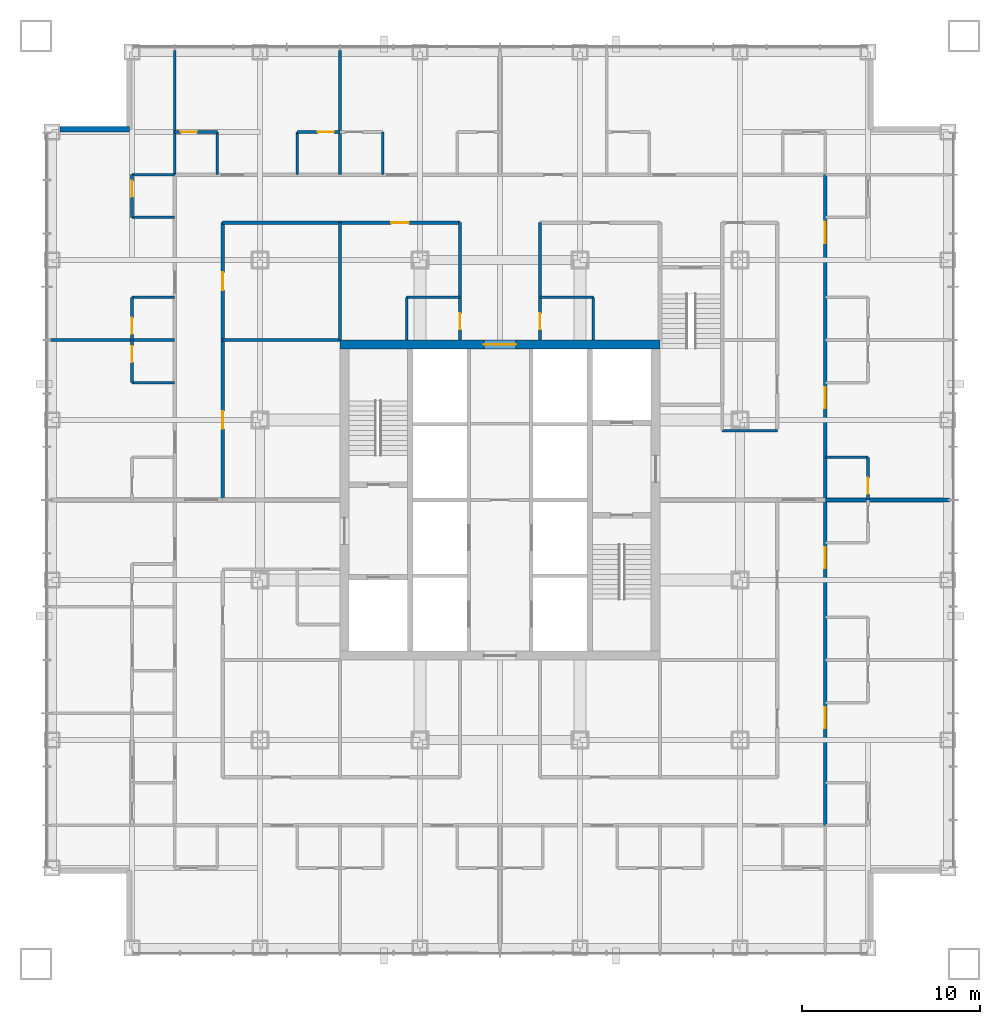
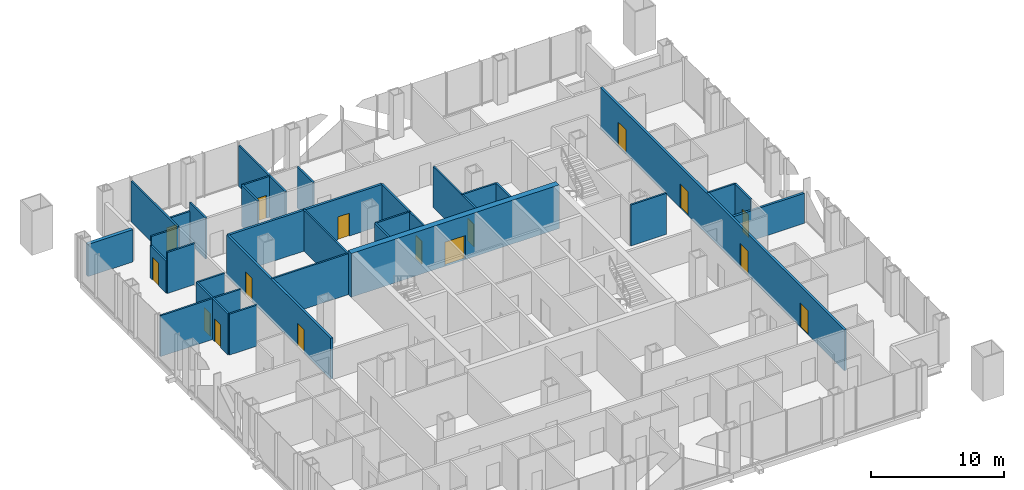
# One storey, part 10 of 13: 32 walls, 16 doors, 16 openings.
"""IFC4 building model written with IfcOpenShell, lengths in metres."""

from ifc_helpers import new_model, si_unit, direction, frame, frame_2d, origin, place, context, subcontext, project, spatial, rectangle, extrude, material, layer, layer_set, type_object, element, fill, save


model = new_model("IFC4")

# Units and contexts
model_context = context("Model", 3, precision=1e-05, world=origin(), true_north=direction((0.0, 1.0)))
body_context = subcontext(model_context, "Body", "Model", "MODEL_VIEW")
ifc_project = project(units=[si_unit("LENGTHUNIT", "METRE"), si_unit("AREAUNIT", "SQUARE_METRE"), si_unit("VOLUMEUNIT", "CUBIC_METRE"), si_unit("PLANEANGLEUNIT", "RADIAN"), si_unit("MASSUNIT", "GRAM", prefix="KILO")], contexts=[model_context])

# Site, building, storey
site_placement = place(None, origin())
site = spatial("IfcSite", under=ifc_project, at=site_placement, CompositionType="ELEMENT")
building_placement = place(site_placement, origin())
building = spatial("IfcBuilding", under=site, at=building_placement, Name="Malebo Sky Hospital", CompositionType="ELEMENT")
storey_placement = place(building_placement, frame((0.0, 0.0, 43.0)))
storey = spatial("IfcBuildingStorey", under=building, at=storey_placement, Name="L09", CompositionType="ELEMENT", Elevation=43.0)

# Wall, opening, door
ifc_material_1 = material(Name="Concrete C80/95", Category="concrete")
ifc_layer_1 = layer(ifc_material_1, 0.5)
ifc_layer_set_1 = layer_set([ifc_layer_1], Name="CORE WALL 500")
wall_type_1 = type_object("IfcWallType", Name="CORE WALL 500", PredefinedType="SHEAR", material=ifc_layer_set_1)
wall_1_placement = place(storey_placement, frame((51.0, 70.75, 0.0), z_axis=(0.0, 0.0, 1.0), x_axis=(1.0, 0.0, 0.0)))
wall_1 = element("IfcWall", 1, at=wall_1_placement, inside=storey, type_object=wall_type_1, Name="Core wall N L09", PredefinedType="SHEAR", context=body_context, shape_type="SweptSolid", body=[
    extrude(rectangle(XDim=18.0, YDim=0.5, at=frame_2d((9.0, 0.0))), origin(), (0.0, 0.0, 1.0), 4.0),
])
opening_1_placement = place(wall_1_placement, frame((8.10009765625, 0.0, 0.0)))
opening_1 = element("IfcOpeningElement", 2, at=opening_1_placement, cuts=wall_1, Name="Opening D06", PredefinedType="OPENING", context=body_context, shape_type="SweptSolid", body=[
    extrude(rectangle(XDim=1.800048828125, YDim=2.199951171875, at=frame_2d((0.89990234375, 1.10009765625))), frame((0.0, 0.260009765625, 0.0), z_axis=(0.0, -1.0, 0.0), x_axis=(1.0, 0.0, 0.0)), (0.0, 0.0, 1.0), 0.52001953125),
])
ifc_material_2 = material(Name="Hardwood-faced door leaf in steel frame", Category="steel")
door_type_1 = type_object("IfcDoorType", Name="LOBBY DOOR PAIR 1800", OperationType="DOUBLE_DOOR_SINGLE_SWING", PredefinedType="DOOR", material=ifc_material_2)
door_1_placement = place(opening_1_placement, origin())
door_1 = element("IfcDoor", 3, at=door_1_placement, inside=storey, type_object=door_type_1, Name="ward pantry door north", OperationType="DOUBLE_DOOR_SINGLE_SWING", OverallHeight=2.199951171875, OverallWidth=1.800048828125, PredefinedType="DOOR", context=body_context, shape_type="SweptSolid", body=[
    extrude(rectangle(XDim=1.800048828125, YDim=2.199951171875, at=frame_2d((0.89990234375, 1.10009765625))), frame((0.0, 0.02490234375, 0.0), z_axis=(0.0, -1.0, 0.0), x_axis=(1.0, 0.0, 0.0)), (0.0, 0.0, 1.0), 0.050048828125),
])
fill(opening_1, door_1)

ifc_material_3 = material(Name="Gypsum board on steel studs", Category="steel")
ifc_layer_2 = layer(ifc_material_3, 0.199951171875)
ifc_layer_set_2 = layer_set([ifc_layer_2], Name="CORRIDOR WALL 200")
wall_type_2 = type_object("IfcWallType", Name="CORRIDOR WALL 200", PredefinedType="PARTITIONING", material=ifc_layer_set_2)
wall_2_placement = place(storey_placement, frame((44.39990234375, 77.60009765625, 0.0), z_axis=(0.0, 0.0, 1.0), x_axis=(1.0, 0.0, 0.0)))
wall_2 = element("IfcWall", 4, at=wall_2_placement, inside=storey, type_object=wall_type_2, Name="Corridor Wall 200 NCI1", PredefinedType="PARTITIONING", context=body_context, shape_type="SweptSolid", body=[
    extrude(rectangle(XDim=13.35009765625, YDim=0.199951171875, at=frame_2d((6.675048828125, 0.0))), origin(), (0.0, 0.0, 1.0), 3.75),
])
opening_2_placement = place(wall_2_placement, frame((9.47509765625, 0.0, 0.0)))
opening_2 = element("IfcOpeningElement", 5, at=opening_2_placement, cuts=wall_2, Name="Opening D03", PredefinedType="OPENING", context=body_context, shape_type="SweptSolid", body=[
    extrude(rectangle(XDim=1.0, YDim=2.10009765625, at=frame_2d((0.5, 1.050048828125))), frame((0.0, 0.10986328125, 0.0), z_axis=(0.0, -1.0, 0.0), x_axis=(1.0, 0.0, 0.0)), (0.0, 0.0, 1.0), 0.219970703125),
])
door_type_2 = type_object("IfcDoorType", Name="ROOM DOOR 1000", OperationType="SINGLE_SWING_LEFT", PredefinedType="DOOR", material=ifc_material_2)
door_2_placement = place(opening_2_placement, origin())
door_2 = element("IfcDoor", 6, at=door_2_placement, inside=storey, type_object=door_type_2, Name="Ward office door", OperationType="SINGLE_SWING_LEFT", OverallHeight=2.10009765625, OverallWidth=1.0, PredefinedType="DOOR", context=body_context, shape_type="SweptSolid", body=[
    extrude(rectangle(XDim=1.0, YDim=2.10009765625, at=frame_2d((0.5, 1.050048828125))), frame((0.0, 0.02490234375, 0.0), z_axis=(0.0, -1.0, 0.0), x_axis=(1.0, 0.0, 0.0)), (0.0, 0.0, 1.0), 0.050048828125),
])
fill(opening_2, door_2)

# Wall, openings, doors
wall_3_placement = place(storey_placement, frame((44.39990234375, 62.0, 0.0), z_axis=(0.0, 0.0, 1.0), x_axis=(0.0, 1.0, 0.0)))
wall_3 = element("IfcWall", 7, at=wall_3_placement, inside=storey, type_object=wall_type_2, Name="Corridor Wall 200 WCI2", PredefinedType="PARTITIONING", context=body_context, shape_type="SweptSolid", body=[
    extrude(rectangle(XDim=15.60009765625, YDim=0.199951171875, at=frame_2d((7.800048828125, 0.0))), origin(), (0.0, 0.0, 1.0), 3.75),
])
opening_3_placement = place(wall_3_placement, frame((4.0, 0.0, 0.0)))
opening_3 = element("IfcOpeningElement", 8, at=opening_3_placement, cuts=wall_3, Name="Opening D03", PredefinedType="OPENING", context=body_context, shape_type="SweptSolid", body=[
    extrude(rectangle(XDim=1.0, YDim=2.10009765625, at=frame_2d((0.5, 1.050048828125))), frame((0.0, 0.10986328125, 0.0), z_axis=(0.0, -1.0, 0.0), x_axis=(1.0, 0.0, 0.0)), (0.0, 0.0, 1.0), 0.219970703125),
])
opening_4_placement = place(wall_3_placement, frame((11.800048828125, 0.0, 0.0)))
opening_4 = element("IfcOpeningElement", 9, at=opening_4_placement, cuts=wall_3, Name="Opening D03", PredefinedType="OPENING", context=body_context, shape_type="SweptSolid", body=[
    extrude(rectangle(XDim=1.0, YDim=2.10009765625, at=frame_2d((0.5, 1.050048828125))), frame((0.0, 0.10986328125, 0.0), z_axis=(0.0, -1.0, 0.0), x_axis=(1.0, 0.0, 0.0)), (0.0, 0.0, 1.0), 0.219970703125),
])
door_3_placement = place(opening_3_placement, origin())
door_3 = element("IfcDoor", 10, at=door_3_placement, inside=storey, type_object=door_type_2, Name="Nurse station door", OperationType="SINGLE_SWING_LEFT", OverallHeight=2.10009765625, OverallWidth=1.0, PredefinedType="DOOR", context=body_context, shape_type="SweptSolid", body=[
    extrude(rectangle(XDim=1.0, YDim=2.10009765625, at=frame_2d((0.5, 1.050048828125))), frame((0.0, 0.02490234375, 0.0), z_axis=(0.0, -1.0, 0.0), x_axis=(1.0, 0.0, 0.0)), (0.0, 0.0, 1.0), 0.050048828125),
])
fill(opening_3, door_3)
door_4_placement = place(opening_4_placement, origin())
door_4 = element("IfcDoor", 11, at=door_4_placement, inside=storey, type_object=door_type_2, Name="Staff base door", OperationType="SINGLE_SWING_RIGHT", OverallHeight=2.10009765625, OverallWidth=1.0, PredefinedType="DOOR", context=body_context, shape_type="SweptSolid", body=[
    extrude(rectangle(XDim=1.0, YDim=2.10009765625, at=frame_2d((0.5, 1.050048828125))), frame((0.0, 0.02490234375, 0.0), z_axis=(0.0, -1.0, 0.0), x_axis=(1.0, 0.0, 0.0)), (0.0, 0.0, 1.0), 0.050048828125),
])
fill(opening_4, door_4)

wall_4_placement = place(storey_placement, frame((78.300048828125, 80.300048828125, 0.0), z_axis=(0.0, 0.0, 1.0), x_axis=(0.0, -1.0, 0.0)))
wall_4 = element("IfcWall", 12, at=wall_4_placement, inside=storey, type_object=wall_type_2, Name="Corridor Wall 200 ECO", PredefinedType="PARTITIONING", context=body_context, shape_type="SweptSolid", body=[
    extrude(rectangle(XDim=36.60009765625, YDim=0.199951171875, at=frame_2d((18.300048828125, 0.0))), origin(), (0.0, 0.0, 1.0), 3.75),
])
opening_5_placement = place(wall_4_placement, frame((2.64990234375, 0.0, 0.0)))
opening_5 = element("IfcOpeningElement", 13, at=opening_5_placement, cuts=wall_4, Name="Opening D01", PredefinedType="OPENING", context=body_context, shape_type="SweptSolid", body=[
    extrude(rectangle(XDim=1.199951171875, YDim=2.199951171875, at=frame_2d((0.60009765625, 1.10009765625))), frame((0.0, 0.10986328125, 0.0), z_axis=(0.0, -1.0, 0.0), x_axis=(1.0, 0.0, 0.0)), (0.0, 0.0, 1.0), 0.219970703125),
])
opening_6_placement = place(wall_4_placement, frame((11.949951171875, 0.0, 0.0)))
opening_6 = element("IfcOpeningElement", 14, at=opening_6_placement, cuts=wall_4, Name="Opening D01", PredefinedType="OPENING", context=body_context, shape_type="SweptSolid", body=[
    extrude(rectangle(XDim=1.199951171875, YDim=2.199951171875, at=frame_2d((0.60009765625, 1.10009765625))), frame((0.0, 0.10986328125, 0.0), z_axis=(0.0, -1.0, 0.0), x_axis=(1.0, 0.0, 0.0)), (0.0, 0.0, 1.0), 0.219970703125),
])
opening_7_placement = place(wall_4_placement, frame((20.949951171875, 0.0, 0.0)))
opening_7 = element("IfcOpeningElement", 15, at=opening_7_placement, cuts=wall_4, Name="Opening D01", PredefinedType="OPENING", context=body_context, shape_type="SweptSolid", body=[
    extrude(rectangle(XDim=1.199951171875, YDim=2.199951171875, at=frame_2d((0.60009765625, 1.10009765625))), frame((0.0, 0.10986328125, 0.0), z_axis=(0.0, -1.0, 0.0), x_axis=(1.0, 0.0, 0.0)), (0.0, 0.0, 1.0), 0.219970703125),
])
opening_8_placement = place(wall_4_placement, frame((29.949951171875, 0.0, 0.0)))
opening_8 = element("IfcOpeningElement", 16, at=opening_8_placement, cuts=wall_4, Name="Opening D01", PredefinedType="OPENING", context=body_context, shape_type="SweptSolid", body=[
    extrude(rectangle(XDim=1.199951171875, YDim=2.199951171875, at=frame_2d((0.60009765625, 1.10009765625))), frame((0.0, 0.10986328125, 0.0), z_axis=(0.0, -1.0, 0.0), x_axis=(1.0, 0.0, 0.0)), (0.0, 0.0, 1.0), 0.219970703125),
])
door_type_3 = type_object("IfcDoorType", Name="BED DOOR 1200", OperationType="SINGLE_SWING_LEFT", PredefinedType="DOOR", material=ifc_material_2)
door_5_placement = place(opening_5_placement, origin())
door_5 = element("IfcDoor", 17, at=door_5_placement, inside=storey, type_object=door_type_3, Name="Four-bed bay door", OperationType="SINGLE_SWING_LEFT", OverallHeight=2.199951171875, OverallWidth=1.199951171875, PredefinedType="DOOR", context=body_context, shape_type="SweptSolid", body=[
    extrude(rectangle(XDim=1.199951171875, YDim=2.199951171875, at=frame_2d((0.60009765625, 1.10009765625))), frame((0.0, 0.02490234375, 0.0), z_axis=(0.0, -1.0, 0.0), x_axis=(1.0, 0.0, 0.0)), (0.0, 0.0, 1.0), 0.050048828125),
])
fill(opening_5, door_5)
door_6_placement = place(opening_6_placement, origin())
door_6 = element("IfcDoor", 18, at=door_6_placement, inside=storey, type_object=door_type_3, Name="Four-bed bay door", OperationType="SINGLE_SWING_LEFT", OverallHeight=2.199951171875, OverallWidth=1.199951171875, PredefinedType="DOOR", context=body_context, shape_type="SweptSolid", body=[
    extrude(rectangle(XDim=1.199951171875, YDim=2.199951171875, at=frame_2d((0.60009765625, 1.10009765625))), frame((0.0, 0.02490234375, 0.0), z_axis=(0.0, -1.0, 0.0), x_axis=(1.0, 0.0, 0.0)), (0.0, 0.0, 1.0), 0.050048828125),
])
fill(opening_6, door_6)
door_7_placement = place(opening_7_placement, origin())
door_7 = element("IfcDoor", 19, at=door_7_placement, inside=storey, type_object=door_type_3, Name="Four-bed bay door", OperationType="SINGLE_SWING_LEFT", OverallHeight=2.199951171875, OverallWidth=1.199951171875, PredefinedType="DOOR", context=body_context, shape_type="SweptSolid", body=[
    extrude(rectangle(XDim=1.199951171875, YDim=2.199951171875, at=frame_2d((0.60009765625, 1.10009765625))), frame((0.0, 0.02490234375, 0.0), z_axis=(0.0, -1.0, 0.0), x_axis=(1.0, 0.0, 0.0)), (0.0, 0.0, 1.0), 0.050048828125),
])
fill(opening_7, door_7)
door_8_placement = place(opening_8_placement, origin())
door_8 = element("IfcDoor", 20, at=door_8_placement, inside=storey, type_object=door_type_3, Name="Four-bed bay door", OperationType="SINGLE_SWING_LEFT", OverallHeight=2.199951171875, OverallWidth=1.199951171875, PredefinedType="DOOR", context=body_context, shape_type="SweptSolid", body=[
    extrude(rectangle(XDim=1.199951171875, YDim=2.199951171875, at=frame_2d((0.60009765625, 1.10009765625))), frame((0.0, 0.02490234375, 0.0), z_axis=(0.0, -1.0, 0.0), x_axis=(1.0, 0.0, 0.0)), (0.0, 0.0, 1.0), 0.050048828125),
])
fill(opening_8, door_8)

# Walls
ifc_material_4 = material(Name="Anodised aluminium rainscreen on steel framing", Category="steel")
ifc_layer_3 = layer(ifc_material_4, 0.300048828125)
ifc_layer_set_3 = layer_set([ifc_layer_3], Name="NOTCH RAINSCREEN WALL 300")
wall_type_3 = type_object("IfcWallType", Name="NOTCH RAINSCREEN WALL 300", PredefinedType="ELEMENTEDWALL", material=ifc_layer_set_3)
wall_5_placement = place(storey_placement, frame((35.25, 82.85009765625, 0.0), z_axis=(0.0, 0.0, 1.0), x_axis=(1.0, 0.0, 0.0)))
element("IfcWall", 21, at=wall_5_placement, inside=storey, type_object=wall_type_3, Name="Notch rainscreen wall W1 L09", PredefinedType="ELEMENTEDWALL", context=body_context, shape_type="SweptSolid", body=[
    extrude(rectangle(XDim=3.89990234375, YDim=0.300048828125, at=frame_2d((1.949951171875, 0.0))), origin(), (0.0, 0.0, 1.0), 2.949951171875),
])
ifc_layer_4 = layer(ifc_material_3, 0.14990234375)
ifc_layer_set_4 = layer_set([ifc_layer_4], Name="PARTITION 150")
wall_type_4 = type_object("IfcWallType", Name="PARTITION 150", PredefinedType="PARTITIONING", material=ifc_layer_set_4)
for number, where, z_axis, x_axis, name in (
    (22, (51.0, 80.300048828125, 0.0), (0.0, 0.0, 1.0), (0.0, 1.0, 0.0), "Partition 150 NP-9.0"),
    (23, (41.699951171875, 80.300048828125, 0.0), (0.0, 0.0, 1.0), (0.0, 1.0, 0.0), "Partition 150 NP0"),
):
    element("IfcWall", number, at=place(storey_placement, frame(where, z_axis=z_axis, x_axis=x_axis)), inside=storey, type_object=wall_type_4, Name=name, PredefinedType="PARTITIONING", context=body_context, shape_type="SweptSolid", body=[
        extrude(rectangle(XDim=6.974853515625, YDim=0.14990234375, at=frame_2d((3.4873046875, 0.0))), origin(), (0.0, 0.0, 1.0), 3.75),
    ])

# Wall, opening, door
wall_6_placement = place(storey_placement, frame((41.699951171875, 82.699951171875, 0.0), z_axis=(0.0, 0.0, 1.0), x_axis=(1.0, 0.0, 0.0)))
wall_6 = element("IfcWall", 24, at=wall_6_placement, inside=storey, type_object=wall_type_4, Name="Partition 150 NE0F", PredefinedType="PARTITIONING", context=body_context, shape_type="SweptSolid", body=[
    extrude(rectangle(XDim=2.400146484375, YDim=0.14990234375, at=frame_2d((1.2001953125, 0.0))), origin(), (0.0, 0.0, 1.0), 2.949951171875),
])
opening_9_placement = place(wall_6_placement, frame((0.35009765625, 0.0, 0.0)))
opening_9 = element("IfcOpeningElement", 25, at=opening_9_placement, cuts=wall_6, Name="Opening D02", PredefinedType="OPENING", context=body_context, shape_type="SweptSolid", body=[
    extrude(rectangle(XDim=0.89990234375, YDim=2.10009765625, at=frame_2d((0.449951171875, 1.050048828125))), frame((0.0, 0.0849609375, 0.0), z_axis=(0.0, -1.0, 0.0), x_axis=(1.0, 0.0, 0.0)), (0.0, 0.0, 1.0), 0.169921875),
])
door_type_4 = type_object("IfcDoorType", Name="EN-SUITE DOOR 900", OperationType="SINGLE_SWING_LEFT", PredefinedType="DOOR", material=ifc_material_2)
door_9_placement = place(opening_9_placement, origin())
door_9 = element("IfcDoor", 26, at=door_9_placement, inside=storey, type_object=door_type_4, Name="En-suite door", OperationType="SINGLE_SWING_LEFT", OverallHeight=2.10009765625, OverallWidth=0.89990234375, PredefinedType="DOOR", context=body_context, shape_type="SweptSolid", body=[
    extrude(rectangle(XDim=0.89990234375, YDim=2.10009765625, at=frame_2d((0.449951171875, 1.050048828125))), frame((0.0, 0.02490234375, 0.0), z_axis=(0.0, -1.0, 0.0), x_axis=(1.0, 0.0, 0.0)), (0.0, 0.0, 1.0), 0.050048828125),
])
fill(opening_9, door_9)

# Wall
wall_7_placement = place(storey_placement, frame((44.10009765625, 80.300048828125, 0.0), z_axis=(0.0, 0.0, 1.0), x_axis=(0.0, 1.0, 0.0)))
element("IfcWall", 27, at=wall_7_placement, inside=storey, type_object=wall_type_4, Name="Partition 150 NE0S", PredefinedType="PARTITIONING", context=body_context, shape_type="SweptSolid", body=[
    extrude(rectangle(XDim=2.39990234375, YDim=0.14990234375, at=frame_2d((1.199951171875, 0.0))), origin(), (0.0, 0.0, 1.0), 3.75),
])

# Wall, opening, door
wall_8_placement = place(storey_placement, frame((48.60009765625, 82.699951171875, 0.0), z_axis=(0.0, 0.0, 1.0), x_axis=(1.0, 0.0, 0.0)))
wall_8 = element("IfcWall", 28, at=wall_8_placement, inside=storey, type_object=wall_type_4, Name="Partition 150 NG0F", PredefinedType="PARTITIONING", context=body_context, shape_type="SweptSolid", body=[
    extrude(rectangle(XDim=2.39990234375, YDim=0.14990234375, at=frame_2d((1.199951171875, 0.0))), origin(), (0.0, 0.0, 1.0), 3.75),
])
opening_10_placement = place(wall_8_placement, frame((1.14990234375, 0.0, 0.0)))
opening_10 = element("IfcOpeningElement", 29, at=opening_10_placement, cuts=wall_8, Name="Opening D02", PredefinedType="OPENING", context=body_context, shape_type="SweptSolid", body=[
    extrude(rectangle(XDim=0.89990234375, YDim=2.10009765625, at=frame_2d((0.449951171875, 1.050048828125))), frame((0.0, 0.0849609375, 0.0), z_axis=(0.0, -1.0, 0.0), x_axis=(1.0, 0.0, 0.0)), (0.0, 0.0, 1.0), 0.169921875),
])
door_10_placement = place(opening_10_placement, origin())
door_10 = element("IfcDoor", 30, at=door_10_placement, inside=storey, type_object=door_type_4, Name="En-suite door", OperationType="SINGLE_SWING_RIGHT", OverallHeight=2.10009765625, OverallWidth=0.89990234375, PredefinedType="DOOR", context=body_context, shape_type="SweptSolid", body=[
    extrude(rectangle(XDim=0.89990234375, YDim=2.10009765625, at=frame_2d((0.449951171875, 1.050048828125))), frame((0.0, 0.02490234375, 0.0), z_axis=(0.0, -1.0, 0.0), x_axis=(1.0, 0.0, 0.0)), (0.0, 0.0, 1.0), 0.050048828125),
])
fill(opening_10, door_10)

# Walls
for number, where, z_axis, x_axis, name in (
    (31, (48.60009765625, 80.300048828125, 0.0), (0.0, 0.0, 1.0), (0.0, 1.0, 0.0), "Partition 150 NG0S"),
    (32, (53.39990234375, 80.300048828125, 0.0), (0.0, 0.0, 1.0), (0.0, 1.0, 0.0), "Partition 150 NE1S"),
):
    element("IfcWall", number, at=place(storey_placement, frame(where, z_axis=z_axis, x_axis=x_axis)), inside=storey, type_object=wall_type_4, Name=name, PredefinedType="PARTITIONING", context=body_context, shape_type="SweptSolid", body=[
        extrude(rectangle(XDim=2.39990234375, YDim=0.14990234375, at=frame_2d((1.199951171875, 0.0))), origin(), (0.0, 0.0, 1.0), 3.75),
    ])
wall_9_placement = place(storey_placement, frame((51.0, 71.0, 0.0), z_axis=(0.0, 0.0, 1.0), x_axis=(0.0, 1.0, 0.0)))
element("IfcWall", 33, at=wall_9_placement, inside=storey, type_object=wall_type_4, Name="Partition 150 NSP0", PredefinedType="PARTITIONING", context=body_context, shape_type="SweptSolid", body=[
    extrude(rectangle(XDim=6.60009765625, YDim=0.14990234375, at=frame_2d((3.300048828125, 0.0))), origin(), (0.0, 0.0, 1.0), 3.75),
])

# Wall, opening, door
wall_10_placement = place(storey_placement, frame((57.75, 71.0, 0.0), z_axis=(0.0, 0.0, 1.0), x_axis=(0.0, 1.0, 0.0)))
wall_10 = element("IfcWall", 34, at=wall_10_placement, inside=storey, type_object=wall_type_4, Name="Partition 150 NSPA", PredefinedType="PARTITIONING", context=body_context, shape_type="SweptSolid", body=[
    extrude(rectangle(XDim=6.60009765625, YDim=0.14990234375, at=frame_2d((3.300048828125, 0.0))), origin(), (0.0, 0.0, 1.0), 3.75),
])
opening_11_placement = place(wall_10_placement, frame((0.60009765625, 0.0, 0.0)))
opening_11 = element("IfcOpeningElement", 35, at=opening_11_placement, cuts=wall_10, Name="Opening D04", PredefinedType="OPENING", context=body_context, shape_type="SweptSolid", body=[
    extrude(rectangle(XDim=0.89990234375, YDim=2.10009765625, at=frame_2d((0.449951171875, 1.050048828125))), frame((0.0, 0.0849609375, 0.0), z_axis=(0.0, -1.0, 0.0), x_axis=(1.0, 0.0, 0.0)), (0.0, 0.0, 1.0), 0.169921875),
])
door_type_5 = type_object("IfcDoorType", Name="ROOM DOOR 900", OperationType="SINGLE_SWING_LEFT", PredefinedType="DOOR", material=ifc_material_2)
door_11_placement = place(opening_11_placement, origin())
door_11 = element("IfcDoor", 36, at=door_11_placement, inside=storey, type_object=door_type_5, Name="Staff WC door", OperationType="SINGLE_SWING_LEFT", OverallHeight=2.10009765625, OverallWidth=0.89990234375, PredefinedType="DOOR", context=body_context, shape_type="SweptSolid", body=[
    extrude(rectangle(XDim=0.89990234375, YDim=2.10009765625, at=frame_2d((0.449951171875, 1.050048828125))), frame((0.0, 0.02490234375, 0.0), z_axis=(0.0, -1.0, 0.0), x_axis=(1.0, 0.0, 0.0)), (0.0, 0.0, 1.0), 0.050048828125),
])
fill(opening_11, door_11)

wall_11_placement = place(storey_placement, frame((62.25, 71.0, 0.0), z_axis=(0.0, 0.0, 1.0), x_axis=(0.0, 1.0, 0.0)))
wall_11 = element("IfcWall", 37, at=wall_11_placement, inside=storey, type_object=wall_type_4, Name="Partition 150 NSPB", PredefinedType="PARTITIONING", context=body_context, shape_type="SweptSolid", body=[
    extrude(rectangle(XDim=6.60009765625, YDim=0.14990234375, at=frame_2d((3.300048828125, 0.0))), origin(), (0.0, 0.0, 1.0), 3.75),
])
opening_12_placement = place(wall_11_placement, frame((0.60009765625, 0.0, 0.0)))
opening_12 = element("IfcOpeningElement", 38, at=opening_12_placement, cuts=wall_11, Name="Opening D04", PredefinedType="OPENING", context=body_context, shape_type="SweptSolid", body=[
    extrude(rectangle(XDim=0.89990234375, YDim=2.10009765625, at=frame_2d((0.449951171875, 1.050048828125))), frame((0.0, 0.0849609375, 0.0), z_axis=(0.0, -1.0, 0.0), x_axis=(1.0, 0.0, 0.0)), (0.0, 0.0, 1.0), 0.169921875),
])
door_12_placement = place(opening_12_placement, origin())
door_12 = element("IfcDoor", 39, at=door_12_placement, inside=storey, type_object=door_type_5, Name="Accessible WC door", OperationType="SINGLE_SWING_LEFT", OverallHeight=2.10009765625, OverallWidth=0.89990234375, PredefinedType="DOOR", context=body_context, shape_type="SweptSolid", body=[
    extrude(rectangle(XDim=0.89990234375, YDim=2.10009765625, at=frame_2d((0.449951171875, 1.050048828125))), frame((0.0, 0.02490234375, 0.0), z_axis=(0.0, -1.0, 0.0), x_axis=(1.0, 0.0, 0.0)), (0.0, 0.0, 1.0), 0.050048828125),
])
fill(opening_12, door_12)

# Walls
wall_12_placement = place(storey_placement, frame((54.75, 73.39990234375, 0.0), z_axis=(0.0, 0.0, 1.0), x_axis=(1.0, 0.0, 0.0)))
element("IfcWall", 40, at=wall_12_placement, inside=storey, type_object=wall_type_4, Name="Partition 150 NSX0", PredefinedType="PARTITIONING", context=body_context, shape_type="SweptSolid", body=[
    extrude(rectangle(XDim=3.0, YDim=0.14990234375, at=frame_2d((1.5, 0.0))), origin(), (0.0, 0.0, 1.0), 3.75),
])
wall_13_placement = place(storey_placement, frame((54.75, 71.0, 0.0), z_axis=(0.0, 0.0, 1.0), x_axis=(0.0, 1.0, 0.0)))
element("IfcWall", 41, at=wall_13_placement, inside=storey, type_object=wall_type_4, Name="Partition 150 NSY0", PredefinedType="PARTITIONING", context=body_context, shape_type="SweptSolid", body=[
    extrude(rectangle(XDim=2.39990234375, YDim=0.14990234375, at=frame_2d((1.199951171875, 0.0))), origin(), (0.0, 0.0, 1.0), 3.75),
])
wall_14_placement = place(storey_placement, frame((62.25, 73.39990234375, 0.0), z_axis=(0.0, 0.0, 1.0), x_axis=(1.0, 0.0, 0.0)))
element("IfcWall", 42, at=wall_14_placement, inside=storey, type_object=wall_type_4, Name="Partition 150 NSX1", PredefinedType="PARTITIONING", context=body_context, shape_type="SweptSolid", body=[
    extrude(rectangle(XDim=3.0, YDim=0.14990234375, at=frame_2d((1.5, 0.0))), origin(), (0.0, 0.0, 1.0), 3.75),
])
wall_15_placement = place(storey_placement, frame((65.25, 71.0, 0.0), z_axis=(0.0, 0.0, 1.0), x_axis=(0.0, 1.0, 0.0)))
element("IfcWall", 43, at=wall_15_placement, inside=storey, type_object=wall_type_4, Name="Partition 150 NSY1", PredefinedType="PARTITIONING", context=body_context, shape_type="SweptSolid", body=[
    extrude(rectangle(XDim=2.39990234375, YDim=0.14990234375, at=frame_2d((1.199951171875, 0.0))), origin(), (0.0, 0.0, 1.0), 3.75),
])
wall_16_placement = place(storey_placement, frame((41.699951171875, 71.0, 0.0), z_axis=(0.0, 0.0, 1.0), x_axis=(-1.0, 0.0, 0.0)))
element("IfcWall", 44, at=wall_16_placement, inside=storey, type_object=wall_type_4, Name="Partition 150 WP+9.0", PredefinedType="PARTITIONING", context=body_context, shape_type="SweptSolid", body=[
    extrude(rectangle(XDim=6.974853515625, YDim=0.14990234375, at=frame_2d((3.4873046875, 0.0))), origin(), (0.0, 0.0, 1.0), 3.75),
])

# Wall, opening, door
wall_17_placement = place(storey_placement, frame((39.300048828125, 68.60009765625, 0.0), z_axis=(0.0, 0.0, 1.0), x_axis=(0.0, 1.0, 0.0)))
wall_17 = element("IfcWall", 45, at=wall_17_placement, inside=storey, type_object=wall_type_4, Name="Partition 150 WG3F", PredefinedType="PARTITIONING", context=body_context, shape_type="SweptSolid", body=[
    extrude(rectangle(XDim=2.39990234375, YDim=0.14990234375, at=frame_2d((1.199951171875, 0.0))), origin(), (0.0, 0.0, 1.0), 3.75),
])
opening_13_placement = place(wall_17_placement, frame((1.14990234375, 0.0, 0.0)))
opening_13 = element("IfcOpeningElement", 46, at=opening_13_placement, cuts=wall_17, Name="Opening D02", PredefinedType="OPENING", context=body_context, shape_type="SweptSolid", body=[
    extrude(rectangle(XDim=0.89990234375, YDim=2.10009765625, at=frame_2d((0.449951171875, 1.050048828125))), frame((0.0, 0.0849609375, 0.0), z_axis=(0.0, -1.0, 0.0), x_axis=(1.0, 0.0, 0.0)), (0.0, 0.0, 1.0), 0.169921875),
])
door_13_placement = place(opening_13_placement, origin())
door_13 = element("IfcDoor", 47, at=door_13_placement, inside=storey, type_object=door_type_4, Name="En-suite door", OperationType="SINGLE_SWING_RIGHT", OverallHeight=2.10009765625, OverallWidth=0.89990234375, PredefinedType="DOOR", context=body_context, shape_type="SweptSolid", body=[
    extrude(rectangle(XDim=0.89990234375, YDim=2.10009765625, at=frame_2d((0.449951171875, 1.050048828125))), frame((0.0, 0.02490234375, 0.0), z_axis=(0.0, -1.0, 0.0), x_axis=(1.0, 0.0, 0.0)), (0.0, 0.0, 1.0), 0.050048828125),
])
fill(opening_13, door_13)

# Wall
wall_18_placement = place(storey_placement, frame((41.699951171875, 68.60009765625, 0.0), z_axis=(0.0, 0.0, 1.0), x_axis=(-1.0, 0.0, 0.0)))
element("IfcWall", 48, at=wall_18_placement, inside=storey, type_object=wall_type_4, Name="Partition 150 WG3S", PredefinedType="PARTITIONING", context=body_context, shape_type="SweptSolid", body=[
    extrude(rectangle(XDim=2.39990234375, YDim=0.14990234375, at=frame_2d((1.199951171875, 0.0))), origin(), (0.0, 0.0, 1.0), 3.75),
])

# Wall, opening, door
wall_19_placement = place(storey_placement, frame((39.300048828125, 71.0, 0.0), z_axis=(0.0, 0.0, 1.0), x_axis=(0.0, 1.0, 0.0)))
wall_19 = element("IfcWall", 49, at=wall_19_placement, inside=storey, type_object=wall_type_4, Name="Partition 150 WE4F", PredefinedType="PARTITIONING", context=body_context, shape_type="SweptSolid", body=[
    extrude(rectangle(XDim=2.39990234375, YDim=0.14990234375, at=frame_2d((1.199951171875, 0.0))), origin(), (0.0, 0.0, 1.0), 3.75),
])
opening_14_placement = place(wall_19_placement, frame((0.35009765625, 0.0, 0.0)))
opening_14 = element("IfcOpeningElement", 50, at=opening_14_placement, cuts=wall_19, Name="Opening D02", PredefinedType="OPENING", context=body_context, shape_type="SweptSolid", body=[
    extrude(rectangle(XDim=0.89990234375, YDim=2.10009765625, at=frame_2d((0.449951171875, 1.050048828125))), frame((0.0, 0.0849609375, 0.0), z_axis=(0.0, -1.0, 0.0), x_axis=(1.0, 0.0, 0.0)), (0.0, 0.0, 1.0), 0.169921875),
])
door_14_placement = place(opening_14_placement, origin())
door_14 = element("IfcDoor", 51, at=door_14_placement, inside=storey, type_object=door_type_4, Name="En-suite door", OperationType="SINGLE_SWING_LEFT", OverallHeight=2.10009765625, OverallWidth=0.89990234375, PredefinedType="DOOR", context=body_context, shape_type="SweptSolid", body=[
    extrude(rectangle(XDim=0.89990234375, YDim=2.10009765625, at=frame_2d((0.449951171875, 1.050048828125))), frame((0.0, 0.02490234375, 0.0), z_axis=(0.0, -1.0, 0.0), x_axis=(1.0, 0.0, 0.0)), (0.0, 0.0, 1.0), 0.050048828125),
])
fill(opening_14, door_14)

# Wall
wall_20_placement = place(storey_placement, frame((41.699951171875, 73.39990234375, 0.0), z_axis=(0.0, 0.0, 1.0), x_axis=(-1.0, 0.0, 0.0)))
element("IfcWall", 52, at=wall_20_placement, inside=storey, type_object=wall_type_4, Name="Partition 150 WE4S", PredefinedType="PARTITIONING", context=body_context, shape_type="SweptSolid", body=[
    extrude(rectangle(XDim=2.39990234375, YDim=0.14990234375, at=frame_2d((1.199951171875, 0.0))), origin(), (0.0, 0.0, 1.0), 3.75),
])

# Wall, opening, door
wall_21_placement = place(storey_placement, frame((39.300048828125, 77.89990234375, 0.0), z_axis=(0.0, 0.0, 1.0), x_axis=(0.0, 1.0, 0.0)))
wall_21 = element("IfcWall", 53, at=wall_21_placement, inside=storey, type_object=wall_type_4, Name="Partition 150 WG4F", PredefinedType="PARTITIONING", context=body_context, shape_type="SweptSolid", body=[
    extrude(rectangle(XDim=2.400146484375, YDim=0.14990234375, at=frame_2d((1.2001953125, 0.0))), origin(), (0.0, 0.0, 1.0), 2.949951171875),
])
opening_15_placement = place(wall_21_placement, frame((1.14990234375, 0.0, 0.0)))
opening_15 = element("IfcOpeningElement", 54, at=opening_15_placement, cuts=wall_21, Name="Opening D02", PredefinedType="OPENING", context=body_context, shape_type="SweptSolid", body=[
    extrude(rectangle(XDim=0.89990234375, YDim=2.10009765625, at=frame_2d((0.449951171875, 1.050048828125))), frame((0.0, 0.0849609375, 0.0), z_axis=(0.0, -1.0, 0.0), x_axis=(1.0, 0.0, 0.0)), (0.0, 0.0, 1.0), 0.169921875),
])
door_15_placement = place(opening_15_placement, origin())
door_15 = element("IfcDoor", 55, at=door_15_placement, inside=storey, type_object=door_type_4, Name="En-suite door", OperationType="SINGLE_SWING_RIGHT", OverallHeight=2.10009765625, OverallWidth=0.89990234375, PredefinedType="DOOR", context=body_context, shape_type="SweptSolid", body=[
    extrude(rectangle(XDim=0.89990234375, YDim=2.10009765625, at=frame_2d((0.449951171875, 1.050048828125))), frame((0.0, 0.02490234375, 0.0), z_axis=(0.0, -1.0, 0.0), x_axis=(1.0, 0.0, 0.0)), (0.0, 0.0, 1.0), 0.050048828125),
])
fill(opening_15, door_15)

# Walls
for number, where, z_axis, x_axis, name in (
    (56, (41.699951171875, 77.89990234375, 0.0), (0.0, 0.0, 1.0), (-1.0, 0.0, 0.0), "Partition 150 WG4S"),
    (57, (41.699951171875, 80.300048828125, 0.0), (0.0, 0.0, 1.0), (-1.0, 0.0, 0.0), "Partition 150 WEZ"),
):
    element("IfcWall", number, at=place(storey_placement, frame(where, z_axis=z_axis, x_axis=x_axis)), inside=storey, type_object=wall_type_4, Name=name, PredefinedType="PARTITIONING", context=body_context, shape_type="SweptSolid", body=[
        extrude(rectangle(XDim=2.39990234375, YDim=0.14990234375, at=frame_2d((1.199951171875, 0.0))), origin(), (0.0, 0.0, 1.0), 3.75),
    ])
wall_22_placement = place(storey_placement, frame((51.0, 71.0, 0.0), z_axis=(0.0, 0.0, 1.0), x_axis=(-1.0, 0.0, 0.0)))
element("IfcWall", 58, at=wall_22_placement, inside=storey, type_object=wall_type_4, Name="Partition 150 WSP+9.0", PredefinedType="PARTITIONING", context=body_context, shape_type="SweptSolid", body=[
    extrude(rectangle(XDim=6.60009765625, YDim=0.14990234375, at=frame_2d((3.300048828125, 0.0))), origin(), (0.0, 0.0, 1.0), 3.75),
])

# Wall, opening, door
wall_23_placement = place(storey_placement, frame((80.699951171875, 64.39990234375, 0.0), z_axis=(0.0, 0.0, 1.0), x_axis=(0.0, -1.0, 0.0)))
wall_23 = element("IfcWall", 59, at=wall_23_placement, inside=storey, type_object=wall_type_4, Name="Partition 150 EG1F", PredefinedType="PARTITIONING", context=body_context, shape_type="SweptSolid", body=[
    extrude(rectangle(XDim=2.39990234375, YDim=0.14990234375, at=frame_2d((1.199951171875, 0.0))), origin(), (0.0, 0.0, 1.0), 3.75),
])
opening_16_placement = place(wall_23_placement, frame((1.14990234375, 0.0, 0.0)))
opening_16 = element("IfcOpeningElement", 60, at=opening_16_placement, cuts=wall_23, Name="Opening D02", PredefinedType="OPENING", context=body_context, shape_type="SweptSolid", body=[
    extrude(rectangle(XDim=0.89990234375, YDim=2.10009765625, at=frame_2d((0.449951171875, 1.050048828125))), frame((0.0, 0.0849609375, 0.0), z_axis=(0.0, -1.0, 0.0), x_axis=(1.0, 0.0, 0.0)), (0.0, 0.0, 1.0), 0.169921875),
])
door_16_placement = place(opening_16_placement, origin())
door_16 = element("IfcDoor", 61, at=door_16_placement, inside=storey, type_object=door_type_4, Name="En-suite door", OperationType="SINGLE_SWING_RIGHT", OverallHeight=2.10009765625, OverallWidth=0.89990234375, PredefinedType="DOOR", context=body_context, shape_type="SweptSolid", body=[
    extrude(rectangle(XDim=0.89990234375, YDim=2.10009765625, at=frame_2d((0.449951171875, 1.050048828125))), frame((0.0, 0.02490234375, 0.0), z_axis=(0.0, -1.0, 0.0), x_axis=(1.0, 0.0, 0.0)), (0.0, 0.0, 1.0), 0.050048828125),
])
fill(opening_16, door_16)

# Walls
wall_24_placement = place(storey_placement, frame((78.300048828125, 64.39990234375, 0.0), z_axis=(0.0, 0.0, 1.0), x_axis=(1.0, 0.0, 0.0)))
element("IfcWall", 62, at=wall_24_placement, inside=storey, type_object=wall_type_4, Name="Partition 150 EG1S", PredefinedType="PARTITIONING", context=body_context, shape_type="SweptSolid", body=[
    extrude(rectangle(XDim=2.39990234375, YDim=0.14990234375, at=frame_2d((1.199951171875, 0.0))), origin(), (0.0, 0.0, 1.0), 3.75),
])
wall_25_placement = place(storey_placement, frame((72.5, 65.89990234375, 0.0), z_axis=(0.0, 0.0, 1.0), x_axis=(1.0, 0.0, 0.0)))
element("IfcWall", 63, at=wall_25_placement, inside=storey, type_object=wall_type_4, Name="Partition 150 ESPA", PredefinedType="PARTITIONING", context=body_context, shape_type="SweptSolid", body=[
    extrude(rectangle(XDim=3.10009765625, YDim=0.14990234375, at=frame_2d((1.550048828125, 0.0))), origin(), (0.0, 0.0, 1.0), 3.75),
])
ifc_material_5 = material(Name="Concrete blockwork", Category="masonry")
ifc_layer_5 = layer(ifc_material_5, 0.199951171875)
ifc_layer_set_5 = layer_set([ifc_layer_5], Name="SMOKE BARRIER WALL 200")
wall_type_5 = type_object("IfcWallType", Name="SMOKE BARRIER WALL 200", PredefinedType="SOLIDWALL", material=ifc_layer_set_5)
wall_26_placement = place(storey_placement, frame((78.300048828125, 62.0, 0.0), z_axis=(0.0, 0.0, 1.0), x_axis=(1.0, 0.0, 0.0)))
element("IfcWall", 64, at=wall_26_placement, inside=storey, type_object=wall_type_5, Name="Smoke Barrier Wall 200 EP+0.0", PredefinedType="SOLIDWALL", context=body_context, shape_type="SweptSolid", body=[
    extrude(rectangle(XDim=6.974853515625, YDim=0.199951171875, at=frame_2d((3.4873046875, 0.0))), origin(), (0.0, 0.0, 1.0), 2.75),
])

save(model, "model.ifc")
